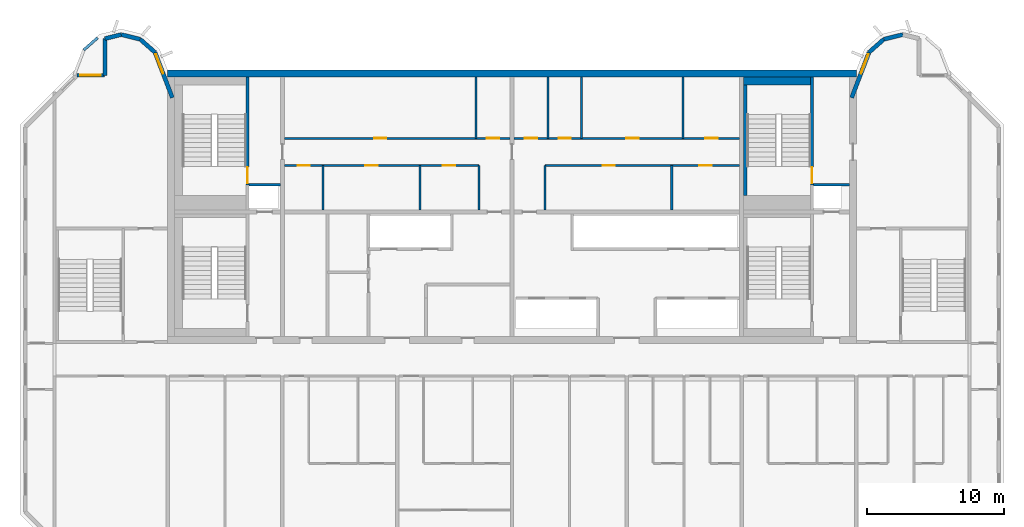
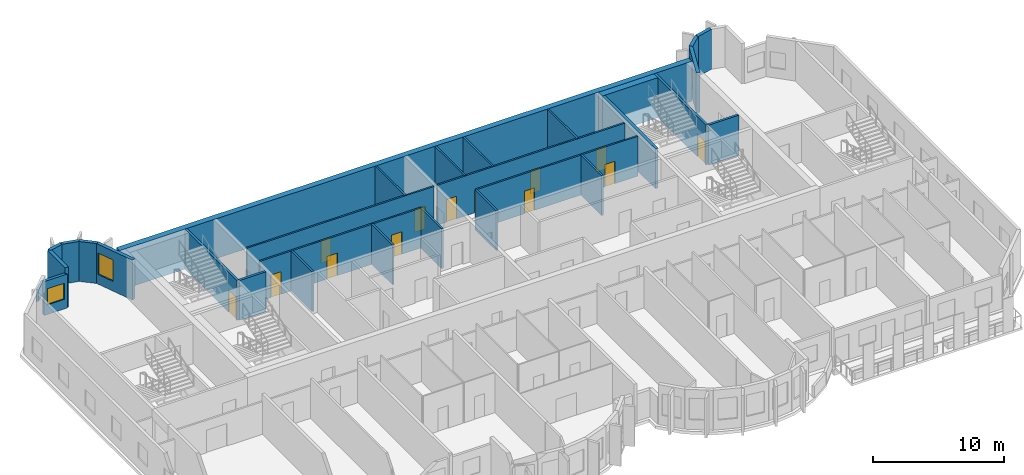
# One storey, part 7 of 12: 30 walls, 13 doors, 3 windows, 16 openings.
"""IFC4 building model written with IfcOpenShell, lengths in metres."""

from ifc_helpers import new_model, si_unit, direction, frame, frame_2d, origin, place, context, subcontext, project, spatial, rectangle, extrude, source, transform, mapped, material, layer, layer_set, type_object, element, fill, save


model = new_model("IFC4")

# Units and contexts
model_context = context("Model", 3, precision=1e-05, world=origin(), true_north=direction((0.0, 1.0)))
body_context = subcontext(model_context, "Body", "Model", "MODEL_VIEW")
ifc_project = project(units=[si_unit("LENGTHUNIT", "METRE"), si_unit("AREAUNIT", "SQUARE_METRE"), si_unit("VOLUMEUNIT", "CUBIC_METRE"), si_unit("PLANEANGLEUNIT", "RADIAN"), si_unit("MASSUNIT", "GRAM", prefix="KILO")], contexts=[model_context])

# Site, building, storey
site_placement = place(None, origin())
site = spatial("IfcSite", under=ifc_project, at=site_placement, CompositionType="ELEMENT")
building_placement = place(site_placement, origin())
building = spatial("IfcBuilding", under=site, at=building_placement, Name="Vanashikhar Sky Hotel", CompositionType="ELEMENT")
storey_placement = place(building_placement, frame((0.0, 0.0, 313.699951171875)))
storey = spatial("IfcBuildingStorey", under=building, at=storey_placement, Name="L75", CompositionType="ELEMENT", Elevation=313.699951171875)

# Walls
ifc_material_1 = material(Name="Concrete M50", Category="concrete")
ifc_layer_1 = layer(ifc_material_1, 0.5)
ifc_layer_set_1 = layer_set([ifc_layer_1], Name="RC core shell wall 500 Concrete M50")
wall_type_1 = type_object("IfcWallType", Name="RC core shell wall 500 Concrete M50", PredefinedType="SHEAR", material=ifc_layer_set_1)
shared_shape_1 = source(origin(), body_context, "Body", "SweptSolid", [
    extrude(rectangle(XDim=50.400146484375, YDim=0.5, at=frame_2d((25.2001953125, 0.0))), origin(), (0.0, 0.0, 1.0), 3.719970703125),
])
wall_1_placement = place(storey_placement, frame((25.199951171875, 41.75, 0.0), z_axis=(0.0, 0.0, 1.0), x_axis=(1.0, 0.0, 0.0)))
element("IfcWall", 1, at=wall_1_placement, inside=storey, type_object=wall_type_1, Name="KW-L75-KN", PredefinedType="SHEAR", context=body_context, shape_type="MappedRepresentation", body=[
    mapped(shared_shape_1, transform((0.0, 0.0, 0.0), scale=1.0)),
])
ifc_layer_2 = layer(ifc_material_1, 0.300048828125)
ifc_layer_set_2 = layer_set([ifc_layer_2], Name="Lobe wall 300")
wall_type_2 = type_object("IfcWallType", Name="Lobe wall 300", PredefinedType="SOLIDWALL", material=ifc_layer_set_2)
shared_shape_2 = source(origin(), body_context, "Body", "SweptSolid", [
    extrude(rectangle(XDim=1.43994140625, YDim=0.300048828125, at=frame_2d((0.719970703125, 0.0))), origin(), (0.0, 0.0, 1.0), 3.719970703125),
])
wall_2_placement = place(storey_placement, frame((77.602783203125, 44.2451171875, 0.0), z_axis=(0.0, 0.0, 1.0), x_axis=(-0.74957555648, -0.661918790432, 0.0)))
element("IfcWall", 2, at=wall_2_placement, inside=storey, type_object=wall_type_2, Name="Lobe wall", PredefinedType="SOLIDWALL", context=body_context, shape_type="MappedRepresentation", body=[
    mapped(shared_shape_2, transform((0.0, 0.0, 0.0), scale=1.0)),
])
shared_shape_3 = source(origin(), body_context, "Body", "SweptSolid", [
    extrude(rectangle(XDim=1.438720703125, YDim=0.300048828125, at=frame_2d((0.71923828125, 0.0))), origin(), (0.0, 0.0, 1.0), 3.719970703125),
])
wall_3_placement = place(storey_placement, frame((79.0, 44.588134765625, 0.0), z_axis=(0.0, 0.0, 1.0), x_axis=(-0.971161932466, -0.238420848351, 0.0)))
element("IfcWall", 3, at=wall_3_placement, inside=storey, type_object=wall_type_2, Name="Lobe wall", PredefinedType="SOLIDWALL", context=body_context, shape_type="MappedRepresentation", body=[
    mapped(shared_shape_3, transform((0.0, 0.0, 0.0), scale=1.0)),
])

# Wall, opening, window
shared_shape_4 = source(origin(), body_context, "Body", "SweptSolid", [
    extrude(rectangle(XDim=3.55908203125, YDim=0.300048828125, at=frame_2d((1.779541015625, 0.0))), origin(), (0.0, 0.0, 1.0), 3.719970703125),
])
wall_4_placement = place(storey_placement, frame((76.5234375, 43.2919921875, 0.0), z_axis=(0.0, 0.0, 1.0), x_axis=(-0.35779745313, -0.933799219604, 0.0)))
wall_4 = element("IfcWall", 4, at=wall_4_placement, inside=storey, type_object=wall_type_2, Name="Lobe wall", PredefinedType="SOLIDWALL", context=body_context, shape_type="MappedRepresentation", body=[
    mapped(shared_shape_4, transform((0.0, 0.0, 0.0), scale=1.0)),
])
shared_shape_5 = source(origin(), body_context, "Body", "SweptSolid", [
    extrude(rectangle(XDim=1.5, YDim=2.0, at=frame_2d((0.75, 1.0))), frame((0.0, 0.16015625, 0.0), z_axis=(0.0, -1.0, 0.0), x_axis=(1.0, 0.0, 0.0)), (0.0, 0.0, 1.0), 0.320068359375),
])
opening_1_placement = place(wall_4_placement, frame((0.156005859375, 0.0, 0.89990234375)))
opening_1 = element("IfcOpeningElement", 5, at=opening_1_placement, cuts=wall_4, Name="Opening WN-2", PredefinedType="OPENING", context=body_context, shape_type="MappedRepresentation", body=[
    mapped(shared_shape_5, transform((0.0, 0.0, 0.0), scale=1.0)),
])
ifc_material_2 = material(Name="Glass", Category="glass")
window_type_1 = type_object("IfcWindowType", Name="Lobe window 1500 x 2000", PartitioningType="SINGLE_PANEL", PredefinedType="WINDOW", material=ifc_material_2)
shared_shape_6 = source(origin(), body_context, "Body", "SweptSolid", [
    extrude(rectangle(XDim=1.5, YDim=2.0, at=frame_2d((0.75, 1.0))), frame((0.0, 0.030029296875, 0.0), z_axis=(0.0, -1.0, 0.0), x_axis=(1.0, 0.0, 0.0)), (0.0, 0.0, 1.0), 0.06005859375),
])
window_1_placement = place(opening_1_placement, origin())
window_1 = element("IfcWindow", 6, at=window_1_placement, inside=storey, type_object=window_type_1, Name="Window WN-2", OverallHeight=2.0, OverallWidth=1.5, PartitioningType="SINGLE_PANEL", PredefinedType="WINDOW", context=body_context, shape_type="MappedRepresentation", body=[
    mapped(shared_shape_6, transform((0.0, 0.0, 0.0), scale=1.0)),
])
fill(opening_1, window_1)

wall_5_placement = place(storey_placement, frame((25.550048828125, 39.968505859375, 0.0), z_axis=(0.0, 0.0, 1.0), x_axis=(-0.35779745313, 0.933799219604, 0.0)))
wall_5 = element("IfcWall", 7, at=wall_5_placement, inside=storey, type_object=wall_type_2, Name="Lobe wall", PredefinedType="SOLIDWALL", context=body_context, shape_type="MappedRepresentation", body=[
    mapped(shared_shape_4, transform((0.0, 0.0, 0.0), scale=1.0)),
])
opening_2_placement = place(wall_5_placement, frame((1.9033203125, 0.0, 0.89990234375)))
opening_2 = element("IfcOpeningElement", 8, at=opening_2_placement, cuts=wall_5, Name="Opening WN-2", PredefinedType="OPENING", context=body_context, shape_type="MappedRepresentation", body=[
    mapped(shared_shape_5, transform((0.0, 0.0, 0.0), scale=1.0)),
])
window_2_placement = place(opening_2_placement, origin())
window_2 = element("IfcWindow", 9, at=window_2_placement, inside=storey, type_object=window_type_1, Name="Window WN-2", OverallHeight=2.0, OverallWidth=1.5, PartitioningType="SINGLE_PANEL", PredefinedType="WINDOW", context=body_context, shape_type="MappedRepresentation", body=[
    mapped(shared_shape_6, transform((0.0, 0.0, 0.0), scale=1.0)),
])
fill(opening_2, window_2)

# Walls
shared_shape_7 = source(origin(), body_context, "Body", "SweptSolid", [
    extrude(rectangle(XDim=1.440185546875, YDim=0.300048828125, at=frame_2d((0.72021484375, 0.0))), origin(), (0.0, 0.0, 1.0), 3.719970703125),
])
wall_6_placement = place(storey_placement, frame((24.276611328125, 43.2919921875, 0.0), z_axis=(0.0, 0.0, 1.0), x_axis=(-0.749649827867, 0.661834673902, 0.0)))
element("IfcWall", 10, at=wall_6_placement, inside=storey, type_object=wall_type_2, Name="Lobe wall", PredefinedType="SOLIDWALL", context=body_context, shape_type="MappedRepresentation", body=[
    mapped(shared_shape_7, transform((0.0, 0.0, 0.0), scale=1.0)),
])
shared_shape_8 = source(origin(), body_context, "Body", "SweptSolid", [
    extrude(rectangle(XDim=1.4384765625, YDim=0.300048828125, at=frame_2d((0.71923828125, 0.0))), origin(), (0.0, 0.0, 1.0), 3.719970703125),
])
wall_7_placement = place(storey_placement, frame((23.197021484375, 44.2451171875, 0.0), z_axis=(0.0, 0.0, 1.0), x_axis=(-0.971152283879, 0.238460146601, 0.0)))
element("IfcWall", 11, at=wall_7_placement, inside=storey, type_object=wall_type_2, Name="Lobe wall", PredefinedType="SOLIDWALL", context=body_context, shape_type="MappedRepresentation", body=[
    mapped(shared_shape_8, transform((0.0, 0.0, 0.0), scale=1.0)),
])
shared_shape_9 = source(origin(), body_context, "Body", "SweptSolid", [
    extrude(rectangle(XDim=2.6962890625, YDim=0.300048828125, at=frame_2d((1.34814453125, 0.0))), origin(), (0.0, 0.0, 1.0), 3.719970703125),
])
wall_8_placement = place(storey_placement, frame((20.612060546875, 44.29638671875, 0.0), z_axis=(0.0, 0.0, 1.0), x_axis=(0.0, -1.0, 0.0)))
element("IfcWall", 12, at=wall_8_placement, inside=storey, type_object=wall_type_2, Name="Lobe end wall", PredefinedType="SOLIDWALL", context=body_context, shape_type="MappedRepresentation", body=[
    mapped(shared_shape_9, transform((0.0, 0.0, 0.0), scale=1.0)),
])
shared_shape_10 = source(origin(), body_context, "Body", "SweptSolid", [
    extrude(rectangle(XDim=1.223388671875, YDim=0.300048828125, at=frame_2d((0.61181640625, 0.0))), origin(), (0.0, 0.0, 1.0), 3.719970703125),
])
wall_9_placement = place(storey_placement, frame((21.800048828125, 44.588134765625, 0.0), z_axis=(0.0, 0.0, 1.0), x_axis=(-0.971143721305, -0.238495015816, 0.0)))
element("IfcWall", 13, at=wall_9_placement, inside=storey, type_object=wall_type_2, Name="Lobe wall", PredefinedType="SOLIDWALL", context=body_context, shape_type="MappedRepresentation", body=[
    mapped(shared_shape_10, transform((0.0, 0.0, 0.0), scale=1.0)),
])

# Wall, opening, window
ifc_layer_3 = layer(ifc_material_1, 0.25)
ifc_layer_set_3 = layer_set([ifc_layer_3], Name="Rear and end board-marked wall 250")
wall_type_3 = type_object("IfcWallType", Name="Rear and end board-marked wall 250", PredefinedType="SOLIDWALL", material=ifc_layer_set_3)
shared_shape_11 = source(origin(), body_context, "Body", "SweptSolid", [
    extrude(rectangle(XDim=2.031494140625, YDim=0.25, at=frame_2d((1.015625, 0.0))), origin(), (0.0, 0.0, 1.0), 3.170166015625),
])
wall_10_placement = place(storey_placement, frame((20.5869140625, 41.625, 0.0), z_axis=(0.0, 0.0, 1.0), x_axis=(-1.0, 0.0, 0.0)))
wall_10 = element("IfcWall", 14, at=wall_10_placement, inside=storey, type_object=wall_type_3, Name="Rear board-marked wall", PredefinedType="SOLIDWALL", context=body_context, shape_type="MappedRepresentation", body=[
    mapped(shared_shape_11, transform((0.0, 0.0, 0.0), scale=1.0)),
])
shared_shape_12 = source(origin(), body_context, "Body", "SweptSolid", [
    extrude(rectangle(XDim=1.5, YDim=1.5, at=frame_2d((0.75, 0.75))), frame((0.0, 0.135009765625, 0.0), z_axis=(0.0, -1.0, 0.0), x_axis=(1.0, 0.0, 0.0)), (0.0, 0.0, 1.0), 0.27001953125),
])
opening_3_placement = place(wall_10_placement, frame((0.265869140625, 0.0, 0.89990234375)))
opening_3 = element("IfcOpeningElement", 15, at=opening_3_placement, cuts=wall_10, Name="Opening WN-1", PredefinedType="OPENING", context=body_context, shape_type="MappedRepresentation", body=[
    mapped(shared_shape_12, transform((0.0, 0.0, 0.0), scale=1.0)),
])
window_type_2 = type_object("IfcWindowType", Name="Window 1500 x 1500", PartitioningType="SINGLE_PANEL", PredefinedType="WINDOW", material=ifc_material_2)
shared_shape_13 = source(origin(), body_context, "Body", "SweptSolid", [
    extrude(rectangle(XDim=1.5, YDim=1.5, at=frame_2d((0.75, 0.75))), frame((0.0, 0.030029296875, 0.0), z_axis=(0.0, -1.0, 0.0), x_axis=(1.0, 0.0, 0.0)), (0.0, 0.0, 1.0), 0.06005859375),
])
window_3_placement = place(opening_3_placement, origin())
window_3 = element("IfcWindow", 16, at=window_3_placement, inside=storey, type_object=window_type_2, Name="Window WN-1", OverallHeight=1.5, OverallWidth=1.5, PartitioningType="SINGLE_PANEL", PredefinedType="WINDOW", context=body_context, shape_type="MappedRepresentation", body=[
    mapped(shared_shape_13, transform((0.0, 0.0, 0.0), scale=1.0)),
])
fill(opening_3, window_3)

# Walls
ifc_layer_4 = layer(ifc_material_1, 0.199951171875)
ifc_layer_set_4 = layer_set([ifc_layer_4], Name="Parapet 200")
wall_type_4 = type_object("IfcWallType", Name="Parapet 200", PredefinedType="PARAPET", material=ifc_layer_set_4)
shared_shape_14 = source(origin(), body_context, "Body", "SweptSolid", [
    extrude(rectangle(XDim=1.334716796875, YDim=0.199951171875, at=frame_2d((0.66748046875, 0.0))), origin(), (0.0, 0.0, 1.0), 1.10009765625),
])
wall_11_placement = place(storey_placement, frame((19.071533203125, 43.46728515625, -0.050048828125), z_axis=(0.0, 0.0, 1.0), x_axis=(0.749645640847, 0.661839416444, 0.0)))
element("IfcWall", 17, at=wall_11_placement, inside=storey, type_object=wall_type_4, Name="Roof parapet", PredefinedType="PARAPET", context=body_context, shape_type="MappedRepresentation", body=[
    mapped(shared_shape_14, transform((0.0, 0.0, 0.0), scale=1.0)),
])
ifc_material_3 = material(Name="Gypsum board partition")
ifc_layer_5 = layer(ifc_material_3, 0.14990234375)
ifc_layer_set_5 = layer_set([ifc_layer_5], Name="Service partition 150")
wall_type_5 = type_object("IfcWallType", Name="Service partition 150", PredefinedType="PARTITIONING", material=ifc_layer_set_5)
shared_shape_15 = source(origin(), body_context, "Body", "SweptSolid", [
    extrude(rectangle(XDim=3.25, YDim=0.14990234375, at=frame_2d((1.625, 0.0))), origin(), (0.0, 0.0, 1.0), 3.719970703125),
])
for number, where, z_axis, x_axis, name in (
    (18, (48.0, 31.75, 0.0), (0.0, 0.0, 1.0), (0.0, 1.0, 0.0), "Service partition 150"),
    (19, (36.5849609375, 31.75, 0.0), (0.0, 0.0, 1.0), (0.0, 1.0, 0.0), "Service partition 150"),
    (20, (43.672119140625, 31.75, 0.0), (0.0, 0.0, 1.0), (0.0, 1.0, 0.0), "Service partition 150"),
    (21, (52.800048828125, 31.75, 0.0), (0.0, 0.0, 1.0), (0.0, 1.0, 0.0), "Service partition 150"),
    (22, (62.089111328125, 31.75, 0.0), (0.0, 0.0, 1.0), (0.0, 1.0, 0.0), "Service partition 150"),
):
    element("IfcWall", number, at=place(storey_placement, frame(where, z_axis=z_axis, x_axis=x_axis)), inside=storey, type_object=wall_type_5, Name=name, PredefinedType="PARTITIONING", context=body_context, shape_type="MappedRepresentation", body=[
        mapped(shared_shape_15, transform((0.0, 0.0, 0.0), scale=1.0)),
    ])

# Wall, openings, doors
shared_shape_16 = source(origin(), body_context, "Body", "SweptSolid", [
    extrude(rectangle(XDim=14.25, YDim=0.14990234375, at=frame_2d((7.125, 0.0))), origin(), (0.0, 0.0, 1.0), 3.719970703125),
])
wall_12_placement = place(storey_placement, frame((33.75, 35.0, 0.0), z_axis=(0.0, 0.0, 1.0), x_axis=(1.0, 0.0, 0.0)))
wall_12 = element("IfcWall", 23, at=wall_12_placement, inside=storey, type_object=wall_type_5, Name="Service partition 150", PredefinedType="PARTITIONING", context=body_context, shape_type="MappedRepresentation", body=[
    mapped(shared_shape_16, transform((0.0, 0.0, 0.0), scale=1.0)),
])
shared_shape_17 = source(origin(), body_context, "Body", "SweptSolid", [
    extrude(rectangle(XDim=0.89990234375, YDim=2.10009765625, at=frame_2d((0.449951171875, 1.050048828125))), frame((0.0, 0.0849609375, 0.0), z_axis=(0.0, -1.0, 0.0), x_axis=(1.0, 0.0, 0.0)), (0.0, 0.0, 1.0), 0.169921875),
])
opening_4_placement = place(wall_12_placement, frame((0.968017578125, 0.0, 0.0)))
opening_4 = element("IfcOpeningElement", 24, at=opening_4_placement, cuts=wall_12, Name="Opening DC-4-A", PredefinedType="OPENING", context=body_context, shape_type="MappedRepresentation", body=[
    mapped(shared_shape_17, transform((0.0, 0.0, 0.0), scale=1.0)),
])
opening_5_placement = place(wall_12_placement, frame((5.928955078125, 0.0, 0.0)))
opening_5 = element("IfcOpeningElement", 25, at=opening_5_placement, cuts=wall_12, Name="Opening DC-4-A", PredefinedType="OPENING", context=body_context, shape_type="MappedRepresentation", body=[
    mapped(shared_shape_17, transform((0.0, 0.0, 0.0), scale=1.0)),
])
opening_6_placement = place(wall_12_placement, frame((11.59912109375, 0.0, 0.0)))
opening_6 = element("IfcOpeningElement", 26, at=opening_6_placement, cuts=wall_12, Name="Opening DC-4-A", PredefinedType="OPENING", context=body_context, shape_type="MappedRepresentation", body=[
    mapped(shared_shape_17, transform((0.0, 0.0, 0.0), scale=1.0)),
])
ifc_material_4 = material(Name="Steel", Category="steel")
door_type_1 = type_object("IfcDoorType", Name="Service door 900 FD60", OperationType="NOTDEFINED", PredefinedType="DOOR", material=ifc_material_4)
shared_shape_18 = source(origin(), body_context, "Body", "SweptSolid", [
    extrude(rectangle(XDim=0.89990234375, YDim=2.10009765625, at=frame_2d((0.449951171875, 1.050048828125))), frame((0.0, 0.02490234375, 0.0), z_axis=(0.0, -1.0, 0.0), x_axis=(1.0, 0.0, 0.0)), (0.0, 0.0, 1.0), 0.050048828125),
])
door_1_placement = place(opening_4_placement, origin())
door_1 = element("IfcDoor", 27, at=door_1_placement, inside=storey, type_object=door_type_1, Name="Service door 900 FD60", OperationType="SINGLE_SWING_LEFT", OverallHeight=2.10009765625, OverallWidth=0.89990234375, PredefinedType="DOOR", context=body_context, shape_type="MappedRepresentation", body=[
    mapped(shared_shape_18, transform((0.0, 0.0, 0.0), scale=1.0)),
])
fill(opening_4, door_1)
door_2_placement = place(opening_5_placement, origin())
door_2 = element("IfcDoor", 28, at=door_2_placement, inside=storey, type_object=door_type_1, Name="Service door 900 FD60", OperationType="SINGLE_SWING_LEFT", OverallHeight=2.10009765625, OverallWidth=0.89990234375, PredefinedType="DOOR", context=body_context, shape_type="MappedRepresentation", body=[
    mapped(shared_shape_18, transform((0.0, 0.0, 0.0), scale=1.0)),
])
fill(opening_5, door_2)
door_3_placement = place(opening_6_placement, origin())
door_3 = element("IfcDoor", 29, at=door_3_placement, inside=storey, type_object=door_type_1, Name="Service door 900 FD60", OperationType="SINGLE_SWING_LEFT", OverallHeight=2.10009765625, OverallWidth=0.89990234375, PredefinedType="DOOR", context=body_context, shape_type="MappedRepresentation", body=[
    mapped(shared_shape_18, transform((0.0, 0.0, 0.0), scale=1.0)),
])
fill(opening_6, door_3)

wall_13_placement = place(storey_placement, frame((67.050048828125, 35.0, 0.0), z_axis=(0.0, 0.0, 1.0), x_axis=(-1.0, 0.0, 0.0)))
wall_13 = element("IfcWall", 30, at=wall_13_placement, inside=storey, type_object=wall_type_5, Name="Service partition 150", PredefinedType="PARTITIONING", context=body_context, shape_type="MappedRepresentation", body=[
    mapped(shared_shape_16, transform((0.0, 0.0, 0.0), scale=1.0)),
])
opening_7_placement = place(wall_13_placement, frame((2.031005859375, 0.0, 0.0)))
opening_7 = element("IfcOpeningElement", 31, at=opening_7_placement, cuts=wall_13, Name="Opening DC-4-A", PredefinedType="OPENING", context=body_context, shape_type="MappedRepresentation", body=[
    mapped(shared_shape_17, transform((0.0, 0.0, 0.0), scale=1.0)),
])
opening_8_placement = place(wall_13_placement, frame((9.117919921875, 0.0, 0.0)))
opening_8 = element("IfcOpeningElement", 32, at=opening_8_placement, cuts=wall_13, Name="Opening DC-4-A", PredefinedType="OPENING", context=body_context, shape_type="MappedRepresentation", body=[
    mapped(shared_shape_17, transform((0.0, 0.0, 0.0), scale=1.0)),
])
door_4_placement = place(opening_7_placement, origin())
door_4 = element("IfcDoor", 33, at=door_4_placement, inside=storey, type_object=door_type_1, Name="Service door 900 FD60", OperationType="SINGLE_SWING_RIGHT", OverallHeight=2.10009765625, OverallWidth=0.89990234375, PredefinedType="DOOR", context=body_context, shape_type="MappedRepresentation", body=[
    mapped(shared_shape_18, transform((0.0, 0.0, 0.0), scale=1.0)),
])
fill(opening_7, door_4)
door_5_placement = place(opening_8_placement, origin())
door_5 = element("IfcDoor", 34, at=door_5_placement, inside=storey, type_object=door_type_1, Name="Service door 900 FD60", OperationType="SINGLE_SWING_RIGHT", OverallHeight=2.10009765625, OverallWidth=0.89990234375, PredefinedType="DOOR", context=body_context, shape_type="MappedRepresentation", body=[
    mapped(shared_shape_18, transform((0.0, 0.0, 0.0), scale=1.0)),
])
fill(opening_8, door_5)

shared_shape_19 = source(origin(), body_context, "Body", "SweptSolid", [
    extrude(rectangle(XDim=16.5, YDim=0.14990234375, at=frame_2d((8.25, 0.0))), origin(), (0.0, 0.0, 1.0), 3.719970703125),
])
wall_14_placement = place(storey_placement, frame((33.75, 37.0, 0.0), z_axis=(0.0, 0.0, 1.0), x_axis=(1.0, 0.0, 0.0)))
wall_14 = element("IfcWall", 35, at=wall_14_placement, inside=storey, type_object=wall_type_5, Name="Service partition 150", PredefinedType="PARTITIONING", context=body_context, shape_type="MappedRepresentation", body=[
    mapped(shared_shape_19, transform((0.0, 0.0, 0.0), scale=1.0)),
])
opening_9_placement = place(wall_14_placement, frame((6.56298828125, 0.0, 0.0)))
opening_9 = element("IfcOpeningElement", 36, at=opening_9_placement, cuts=wall_14, Name="Opening DC-4-A", PredefinedType="OPENING", context=body_context, shape_type="MappedRepresentation", body=[
    mapped(shared_shape_17, transform((0.0, 0.0, 0.0), scale=1.0)),
])
opening_10_placement = place(wall_14_placement, frame((14.81298828125, 0.0, 0.0)))
opening_10 = element("IfcOpeningElement", 37, at=opening_10_placement, cuts=wall_14, Name="Opening DC-4-A", PredefinedType="OPENING", context=body_context, shape_type="MappedRepresentation", body=[
    mapped(shared_shape_17, transform((0.0, 0.0, 0.0), scale=1.0)),
])
door_6_placement = place(opening_9_placement, origin())
door_6 = element("IfcDoor", 38, at=door_6_placement, inside=storey, type_object=door_type_1, Name="Service door 900 FD60", OperationType="SINGLE_SWING_RIGHT", OverallHeight=2.10009765625, OverallWidth=0.89990234375, PredefinedType="DOOR", context=body_context, shape_type="MappedRepresentation", body=[
    mapped(shared_shape_18, transform((0.0, 0.0, 0.0), scale=1.0)),
])
fill(opening_9, door_6)
door_7_placement = place(opening_10_placement, origin())
door_7 = element("IfcDoor", 39, at=door_7_placement, inside=storey, type_object=door_type_1, Name="Service door 900 FD60", OperationType="SINGLE_SWING_LEFT", OverallHeight=2.10009765625, OverallWidth=0.89990234375, PredefinedType="DOOR", context=body_context, shape_type="MappedRepresentation", body=[
    mapped(shared_shape_18, transform((0.0, 0.0, 0.0), scale=1.0)),
])
fill(opening_10, door_7)

wall_15_placement = place(storey_placement, frame((67.050048828125, 37.0, 0.0), z_axis=(0.0, 0.0, 1.0), x_axis=(-1.0, 0.0, 0.0)))
wall_15 = element("IfcWall", 40, at=wall_15_placement, inside=storey, type_object=wall_type_5, Name="Service partition 150", PredefinedType="PARTITIONING", context=body_context, shape_type="MappedRepresentation", body=[
    mapped(shared_shape_19, transform((0.0, 0.0, 0.0), scale=1.0)),
])
opening_11_placement = place(wall_15_placement, frame((1.613037109375, 0.0, 0.0)))
opening_11 = element("IfcOpeningElement", 41, at=opening_11_placement, cuts=wall_15, Name="Opening DC-4-A", PredefinedType="OPENING", context=body_context, shape_type="MappedRepresentation", body=[
    mapped(shared_shape_17, transform((0.0, 0.0, 0.0), scale=1.0)),
])
opening_12_placement = place(wall_15_placement, frame((7.387939453125, 0.0, 0.0)))
opening_12 = element("IfcOpeningElement", 42, at=opening_12_placement, cuts=wall_15, Name="Opening DC-4-A", PredefinedType="OPENING", context=body_context, shape_type="MappedRepresentation", body=[
    mapped(shared_shape_17, transform((0.0, 0.0, 0.0), scale=1.0)),
])
opening_13_placement = place(wall_15_placement, frame((12.3369140625, 0.0, 0.0)))
opening_13 = element("IfcOpeningElement", 43, at=opening_13_placement, cuts=wall_15, Name="Opening DC-4-A", PredefinedType="OPENING", context=body_context, shape_type="MappedRepresentation", body=[
    mapped(shared_shape_17, transform((0.0, 0.0, 0.0), scale=1.0)),
])
opening_14_placement = place(wall_15_placement, frame((14.81298828125, 0.0, 0.0)))
opening_14 = element("IfcOpeningElement", 44, at=opening_14_placement, cuts=wall_15, Name="Opening DC-4-A", PredefinedType="OPENING", context=body_context, shape_type="MappedRepresentation", body=[
    mapped(shared_shape_17, transform((0.0, 0.0, 0.0), scale=1.0)),
])
door_8_placement = place(opening_11_placement, origin())
door_8 = element("IfcDoor", 45, at=door_8_placement, inside=storey, type_object=door_type_1, Name="Service door 900 FD60", OperationType="SINGLE_SWING_RIGHT", OverallHeight=2.10009765625, OverallWidth=0.89990234375, PredefinedType="DOOR", context=body_context, shape_type="MappedRepresentation", body=[
    mapped(shared_shape_18, transform((0.0, 0.0, 0.0), scale=1.0)),
])
fill(opening_11, door_8)
door_9_placement = place(opening_12_placement, origin())
door_9 = element("IfcDoor", 46, at=door_9_placement, inside=storey, type_object=door_type_1, Name="Service door 900 FD60", OperationType="SINGLE_SWING_LEFT", OverallHeight=2.10009765625, OverallWidth=0.89990234375, PredefinedType="DOOR", context=body_context, shape_type="MappedRepresentation", body=[
    mapped(shared_shape_18, transform((0.0, 0.0, 0.0), scale=1.0)),
])
fill(opening_12, door_9)
door_10_placement = place(opening_13_placement, origin())
door_10 = element("IfcDoor", 47, at=door_10_placement, inside=storey, type_object=door_type_1, Name="Service door 900 FD60", OperationType="SINGLE_SWING_LEFT", OverallHeight=2.10009765625, OverallWidth=0.89990234375, PredefinedType="DOOR", context=body_context, shape_type="MappedRepresentation", body=[
    mapped(shared_shape_18, transform((0.0, 0.0, 0.0), scale=1.0)),
])
fill(opening_13, door_10)
door_11_placement = place(opening_14_placement, origin())
door_11 = element("IfcDoor", 48, at=door_11_placement, inside=storey, type_object=door_type_1, Name="Service door 900 FD60", OperationType="SINGLE_SWING_LEFT", OverallHeight=2.10009765625, OverallWidth=0.89990234375, PredefinedType="DOOR", context=body_context, shape_type="MappedRepresentation", body=[
    mapped(shared_shape_18, transform((0.0, 0.0, 0.0), scale=1.0)),
])
fill(opening_14, door_11)

# Walls
shared_shape_20 = source(origin(), body_context, "Body", "SweptSolid", [
    extrude(rectangle(XDim=4.5, YDim=0.14990234375, at=frame_2d((2.25, 0.0))), origin(), (0.0, 0.0, 1.0), 3.719970703125),
])
for number, where, z_axis, x_axis, name in (
    (49, (47.77490234375, 37.0, 0.0), (0.0, 0.0, 1.0), (0.0, 1.0, 0.0), "Service partition 150"),
    (50, (62.925048828125, 37.0, 0.0), (0.0, 0.0, 1.0), (0.0, 1.0, 0.0), "Service partition 150"),
    (51, (55.5, 37.0, 0.0), (0.0, 0.0, 1.0), (0.0, 1.0, 0.0), "Service partition 150"),
    (52, (53.02490234375, 37.0, 0.0), (0.0, 0.0, 1.0), (0.0, 1.0, 0.0), "Service partition 150"),
):
    element("IfcWall", number, at=place(storey_placement, frame(where, z_axis=z_axis, x_axis=x_axis)), inside=storey, type_object=wall_type_5, Name=name, PredefinedType="PARTITIONING", context=body_context, shape_type="MappedRepresentation", body=[
        mapped(shared_shape_20, transform((0.0, 0.0, 0.0), scale=1.0)),
    ])
ifc_material_5 = material(Name="Concrete M40", Category="concrete")
ifc_layer_6 = layer(ifc_material_5, 0.199951171875)
ifc_layer_set_6 = layer_set([ifc_layer_6], Name="Shaft wall 200")
wall_type_6 = type_object("IfcWallType", Name="Shaft wall 200", PredefinedType="SOLIDWALL", material=ifc_layer_set_6)
shared_shape_21 = source(origin(), body_context, "Body", "SweptSolid", [
    extrude(rectangle(XDim=2.300048828125, YDim=0.199951171875, at=frame_2d((1.14990234375, 0.0))), origin(), (0.0, 0.0, 1.0), 3.719970703125),
])
wall_16_placement = place(storey_placement, frame((31.14990234375, 33.60009765625, 0.0), z_axis=(0.0, 0.0, 1.0), x_axis=(1.0, 0.0, 0.0)))
element("IfcWall", 53, at=wall_16_placement, inside=storey, type_object=wall_type_6, Name="Shaft wall 200", PredefinedType="SOLIDWALL", context=body_context, shape_type="MappedRepresentation", body=[
    mapped(shared_shape_21, transform((0.0, 0.0, 0.0), scale=1.0)),
])

# Wall, opening, door
ifc_layer_7 = layer(ifc_material_1, 0.199951171875)
ifc_layer_set_7 = layer_set([ifc_layer_7], Name="Stair wall 200")
wall_type_7 = type_object("IfcWallType", Name="Stair wall 200", PredefinedType="SOLIDWALL", material=ifc_layer_set_7)
shared_shape_22 = source(origin(), body_context, "Body", "SweptSolid", [
    extrude(rectangle(XDim=7.89990234375, YDim=0.199951171875, at=frame_2d((3.949951171875, 0.0))), origin(), (0.0, 0.0, 1.0), 3.719970703125),
])
wall_17_placement = place(storey_placement, frame((31.050048828125, 33.60009765625, 0.0), z_axis=(0.0, 0.0, 1.0), x_axis=(0.0, 1.0, 0.0)))
wall_17 = element("IfcWall", 54, at=wall_17_placement, inside=storey, type_object=wall_type_7, Name="Stair wall 200", PredefinedType="SOLIDWALL", context=body_context, shape_type="MappedRepresentation", body=[
    mapped(shared_shape_22, transform((0.0, 0.0, 0.0), scale=1.0)),
])
shared_shape_23 = source(origin(), body_context, "Body", "SweptSolid", [
    extrude(rectangle(XDim=1.199951171875, YDim=2.10009765625, at=frame_2d((0.60009765625, 1.050048828125))), frame((0.0, 0.10986328125, 0.0), z_axis=(0.0, -1.0, 0.0), x_axis=(1.0, 0.0, 0.0)), (0.0, 0.0, 1.0), 0.219970703125),
])
opening_15_placement = place(wall_17_placement, frame((0.10009765625, 0.0, 0.0)))
opening_15 = element("IfcOpeningElement", 55, at=opening_15_placement, cuts=wall_17, Name="Opening DC-1", PredefinedType="OPENING", context=body_context, shape_type="MappedRepresentation", body=[
    mapped(shared_shape_23, transform((0.0, 0.0, 0.0), scale=1.0)),
])
door_type_2 = type_object("IfcDoorType", Name="Stair door 1200 FD120", OperationType="NOTDEFINED", PredefinedType="DOOR", material=ifc_material_4)
shared_shape_24 = source(origin(), body_context, "Body", "SweptSolid", [
    extrude(rectangle(XDim=1.199951171875, YDim=2.10009765625, at=frame_2d((0.60009765625, 1.050048828125))), frame((0.0, 0.02490234375, 0.0), z_axis=(0.0, -1.0, 0.0), x_axis=(1.0, 0.0, 0.0)), (0.0, 0.0, 1.0), 0.050048828125),
])
door_12_placement = place(opening_15_placement, origin())
door_12 = element("IfcDoor", 56, at=door_12_placement, inside=storey, type_object=door_type_2, Name="Stair door 1200 FD120", OperationType="SINGLE_SWING_RIGHT", OverallHeight=2.10009765625, OverallWidth=1.199951171875, PredefinedType="DOOR", context=body_context, shape_type="MappedRepresentation", body=[
    mapped(shared_shape_24, transform((0.0, 0.0, 0.0), scale=1.0)),
])
fill(opening_15, door_12)

wall_18_placement = place(storey_placement, frame((72.35009765625, 33.60009765625, 0.0), z_axis=(0.0, 0.0, 1.0), x_axis=(0.0, 1.0, 0.0)))
wall_18 = element("IfcWall", 57, at=wall_18_placement, inside=storey, type_object=wall_type_7, Name="Stair wall 200", PredefinedType="SOLIDWALL", context=body_context, shape_type="MappedRepresentation", body=[
    mapped(shared_shape_22, transform((0.0, 0.0, 0.0), scale=1.0)),
])
opening_16_placement = place(wall_18_placement, frame((0.10009765625, 0.0, 0.0)))
opening_16 = element("IfcOpeningElement", 58, at=opening_16_placement, cuts=wall_18, Name="Opening DC-1", PredefinedType="OPENING", context=body_context, shape_type="MappedRepresentation", body=[
    mapped(shared_shape_23, transform((0.0, 0.0, 0.0), scale=1.0)),
])
door_13_placement = place(opening_16_placement, origin())
door_13 = element("IfcDoor", 59, at=door_13_placement, inside=storey, type_object=door_type_2, Name="Stair door 1200 FD120", OperationType="SINGLE_SWING_RIGHT", OverallHeight=2.10009765625, OverallWidth=1.199951171875, PredefinedType="DOOR", context=body_context, shape_type="MappedRepresentation", body=[
    mapped(shared_shape_24, transform((0.0, 0.0, 0.0), scale=1.0)),
])
fill(opening_16, door_13)

# Walls
shared_shape_25 = source(origin(), body_context, "Body", "SweptSolid", [
    extrude(rectangle(XDim=2.650146484375, YDim=0.199951171875, at=frame_2d((1.3251953125, 0.0))), origin(), (0.0, 0.0, 1.0), 3.719970703125),
])
wall_19_placement = place(storey_placement, frame((72.449951171875, 33.60009765625, 0.0), z_axis=(0.0, 0.0, 1.0), x_axis=(1.0, 0.0, 0.0)))
element("IfcWall", 60, at=wall_19_placement, inside=storey, type_object=wall_type_6, Name="Shaft wall 200", PredefinedType="SOLIDWALL", context=body_context, shape_type="MappedRepresentation", body=[
    mapped(shared_shape_25, transform((0.0, 0.0, 0.0), scale=1.0)),
])
ifc_layer_8 = layer(ifc_material_1, 0.60009765625)
ifc_layer_set_8 = layer_set([ifc_layer_8], Name="Stair infill wall 600")
wall_type_8 = type_object("IfcWallType", Name="Stair infill wall 600", PredefinedType="SOLIDWALL", material=ifc_layer_set_8)
shared_shape_26 = source(origin(), body_context, "Body", "SweptSolid", [
    extrude(rectangle(XDim=4.89990234375, YDim=0.60009765625, at=frame_2d((2.449951171875, 0.0))), origin(), (0.0, 0.0, 1.0), 3.719970703125),
])
wall_20_placement = place(storey_placement, frame((67.35009765625, 41.199951171875, 0.0), z_axis=(0.0, 0.0, 1.0), x_axis=(1.0, 0.0, 0.0)))
element("IfcWall", 61, at=wall_20_placement, inside=storey, type_object=wall_type_8, Name="Stair infill wall 600", PredefinedType="SOLIDWALL", context=body_context, shape_type="MappedRepresentation", body=[
    mapped(shared_shape_26, transform((0.0, 0.0, 0.0), scale=1.0)),
])
ifc_layer_9 = layer(ifc_material_1, 0.25)
ifc_layer_set_9 = layer_set([ifc_layer_9], Name="Stair infill wall 250")
wall_type_9 = type_object("IfcWallType", Name="Stair infill wall 250", PredefinedType="SOLIDWALL", material=ifc_layer_set_9)
shared_shape_27 = source(origin(), body_context, "Body", "SweptSolid", [
    extrude(rectangle(XDim=8.099853515625, YDim=0.25, at=frame_2d((4.0498046875, 0.0))), origin(), (0.0, 0.0, 1.0), 3.719970703125),
])
wall_21_placement = place(storey_placement, frame((67.47509765625, 32.800048828125, 0.0), z_axis=(0.0, 0.0, 1.0), x_axis=(0.0, 1.0, 0.0)))
element("IfcWall", 62, at=wall_21_placement, inside=storey, type_object=wall_type_9, Name="Stair infill wall 250", PredefinedType="SOLIDWALL", context=body_context, shape_type="MappedRepresentation", body=[
    mapped(shared_shape_27, transform((0.0, 0.0, 0.0), scale=1.0)),
])

save(model, "model.ifc")
